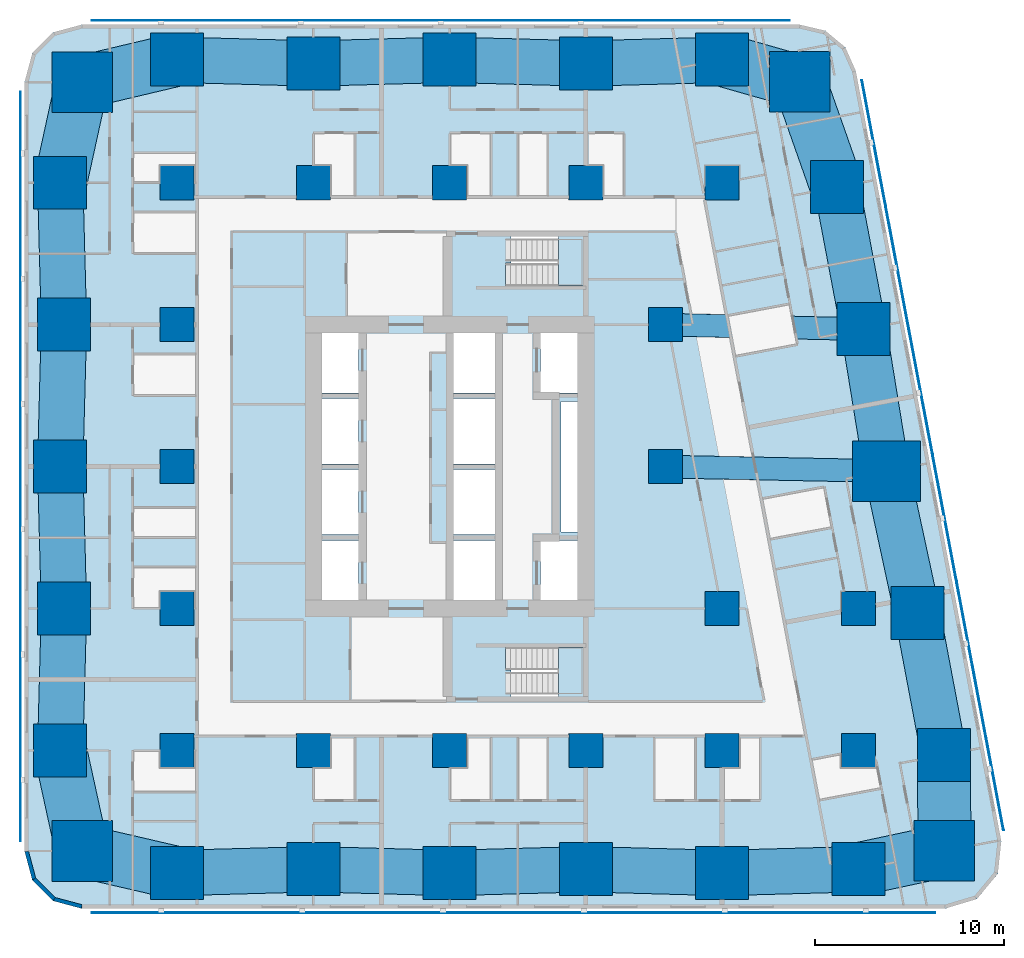
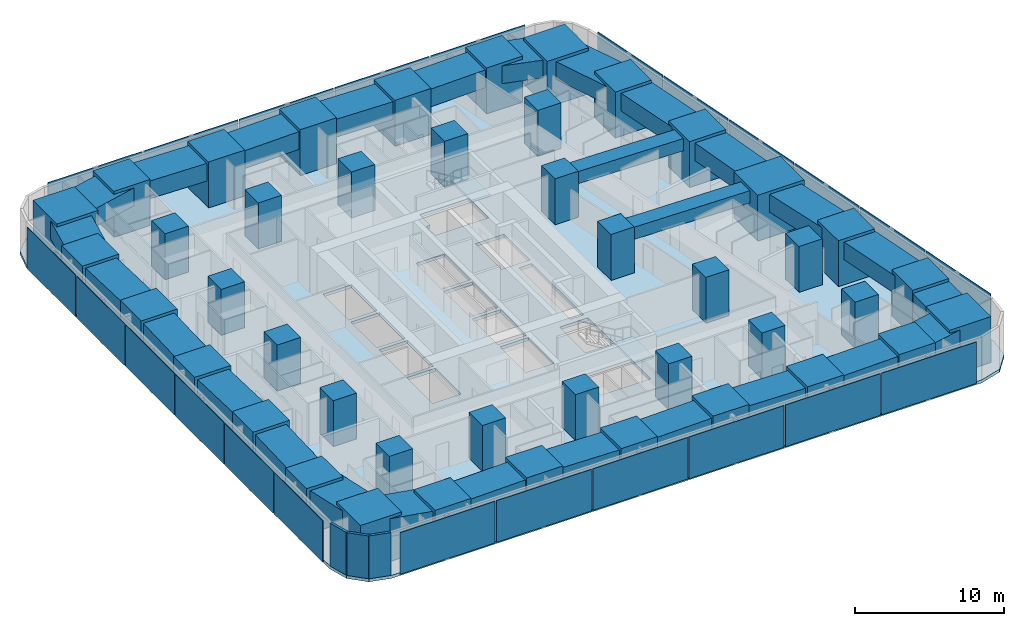
# One storey, part 1 of 16: 43 columns, 27 beams, 23 plates, 3 slabs, 3 walls, 2 elements without a shape of their own.
"""IFC4 building model written with IfcOpenShell, lengths in metres."""

from ifc_helpers import new_model, si_unit, direction, frame, frame_2d, origin, origin_2d, place, context, subcontext, project, spatial, polyline, rectangle, outline, extrude, material, layer, layer_set, material_profile, profile_set, type_object, element, aggregate, save


model = new_model("IFC4")

# Units and contexts
model_context = context("Model", 3, precision=1e-05, world=origin(), true_north=direction((0.0, 1.0)))
body_context = subcontext(model_context, "Body", "Model", "MODEL_VIEW")
ifc_project = project(units=[si_unit("LENGTHUNIT", "METRE"), si_unit("AREAUNIT", "SQUARE_METRE"), si_unit("VOLUMEUNIT", "CUBIC_METRE"), si_unit("PLANEANGLEUNIT", "RADIAN"), si_unit("MASSUNIT", "GRAM", prefix="KILO")], contexts=[model_context])

# Site, building, storey
site_placement = place(None, origin())
site = spatial("IfcSite", under=ifc_project, at=site_placement, CompositionType="ELEMENT")
building_placement = place(site_placement, origin())
building = spatial("IfcBuilding", under=site, at=building_placement, Name="Sheger Commons Tower", CompositionType="ELEMENT")
storey_placement = place(building_placement, frame((0.0, 0.0, 61.25)))
storey = spatial("IfcBuildingStorey", under=building, at=storey_placement, Name="L15", CompositionType="ELEMENT", Elevation=61.25)

# Columns
ifc_material_1 = material(Name="Concrete C50/60", Category="concrete")
ifc_material_profile_1 = material_profile(ifc_material_1, rectangle(XDim=3.60009765625, YDim=3.199951171875, at=origin_2d()), Name="RC 3600x3200")
ifc_profile_set_1 = profile_set([ifc_material_profile_1], Name="Concrete C50/60")
column_type_1 = type_object("IfcColumnType", Name="COLUMN PIER RC 3600x3200", PredefinedType="COLUMN", material=ifc_profile_set_1)
column_placement = place(storey_placement, frame((44.697021484375, 22.262939453125, 0.0), z_axis=(0.0, 0.0, 1.0), x_axis=(1.0, 0.0, 0.0)))
element("IfcColumn", 1, at=column_placement, inside=storey, type_object=column_type_1, Name="Pier 7/D+E/D L15", PredefinedType="COLUMN", context=body_context, shape_type="SweptSolid", body=[
    extrude(rectangle(XDim=3.60009765625, YDim=3.199951171875, at=origin_2d()), origin(), (0.0, 0.0, 1.0), 3.75),
])
ifc_material_2 = material(Name="Concrete C50/60", Category="concrete")
ifc_material_profile_2 = material_profile(ifc_material_2, rectangle(XDim=1.800048828125, YDim=1.800048828125, at=origin_2d()), Name="RC 1800x1800")
ifc_profile_set_2 = profile_set([ifc_material_profile_2], Name="Concrete C50/60")
column_type_2 = type_object("IfcColumnType", Name="COLUMN RC 1800x1800", PredefinedType="COLUMN", material=ifc_profile_set_2)
for number, where, z_axis, x_axis, name in (
    (2, (7.199951171875, 7.5, 0.0), (0.0, 0.0, 1.0), (1.0, 0.0, 0.0), "Column 2/B L15"),
    (3, (14.39990234375, 7.5, 0.0), (0.0, 0.0, 1.0), (1.0, 0.0, 0.0), "Column 3/B L15"),
    (4, (21.60009765625, 7.5, 0.0), (0.0, 0.0, 1.0), (1.0, 0.0, 0.0), "Column 4/B L15"),
    (5, (28.800048828125, 7.5, 0.0), (0.0, 0.0, 1.0), (1.0, 0.0, 0.0), "Column 5/B L15"),
    (6, (36.0, 7.5, 0.0), (0.0, 0.0, 1.0), (1.0, 0.0, 0.0), "Column 6/B L15"),
    (7, (43.199951171875, 7.5, 0.0), (0.0, 0.0, 1.0), (1.0, 0.0, 0.0), "Column 7/B L15"),
    (8, (7.199951171875, 15.0, 0.0), (0.0, 0.0, 1.0), (1.0, 0.0, 0.0), "Column 2/C L15"),
    (9, (36.0, 15.0, 0.0), (0.0, 0.0, 1.0), (1.0, 0.0, 0.0), "Column 6/C L15"),
    (10, (43.199951171875, 15.0, 0.0), (0.0, 0.0, 1.0), (1.0, 0.0, 0.0), "Column 7/C L15"),
    (11, (7.199951171875, 22.5, 0.0), (0.0, 0.0, 1.0), (1.0, 0.0, 0.0), "Column 2/D L15"),
    (12, (33.0, 22.5, 0.0), (0.0, 0.0, 1.0), (1.0, 0.0, 0.0), "Column 6-3000/D L15"),
    (13, (7.199951171875, 30.0, 0.0), (0.0, 0.0, 1.0), (1.0, 0.0, 0.0), "Column 2/E L15"),
    (14, (33.0, 30.0, 0.0), (0.0, 0.0, 1.0), (1.0, 0.0, 0.0), "Column 6-3000/E L15"),
    (15, (7.199951171875, 37.5, 0.0), (0.0, 0.0, 1.0), (1.0, 0.0, 0.0), "Column 2/F L15"),
    (16, (14.39990234375, 37.5, 0.0), (0.0, 0.0, 1.0), (1.0, 0.0, 0.0), "Column 3/F L15"),
    (17, (21.60009765625, 37.5, 0.0), (0.0, 0.0, 1.0), (1.0, 0.0, 0.0), "Column 4/F L15"),
    (18, (28.800048828125, 37.5, 0.0), (0.0, 0.0, 1.0), (1.0, 0.0, 0.0), "Column 5/F L15"),
    (19, (36.0, 37.5, 0.0), (0.0, 0.0, 1.0), (1.0, 0.0, 0.0), "Column 6/F L15"),
):
    element("IfcColumn", number, at=place(storey_placement, frame(where, z_axis=z_axis, x_axis=x_axis)), inside=storey, type_object=column_type_2, Name=name, PredefinedType="COLUMN", context=body_context, shape_type="SweptSolid", body=[
        extrude(rectangle(XDim=1.800048828125, YDim=1.800048828125, at=origin_2d()), origin(), (0.0, 0.0, 1.0), 3.75),
    ])
ifc_material_3 = material(Name="Concrete C50/60", Category="concrete")
ifc_material_profile_3 = material_profile(ifc_material_3, rectangle(XDim=2.800048828125, YDim=2.800048828125, at=origin_2d()), Name="RC 2800x2800")
ifc_profile_set_3 = profile_set([ifc_material_profile_3], Name="Concrete C50/60")
column_type_3 = type_object("IfcColumnType", Name="COLUMN RC 2800x2800", PredefinedType="COLUMN", material=ifc_profile_set_3)
for number, where, z_axis, x_axis, name in (
    (20, (7.199951171875, 1.02490234375, 0.0), (0.0, 0.0, 1.0), (1.0, 0.0, 0.0), "Column 2/A L15"),
    (21, (14.39990234375, 1.22509765625, 0.0), (0.0, 0.0, 1.0), (1.0, 0.0, 0.0), "Column 3/A L15"),
    (22, (21.60009765625, 1.02490234375, 0.0), (0.0, 0.0, 1.0), (1.0, 0.0, 0.0), "Column 4/A L15"),
    (23, (28.800048828125, 1.22509765625, 0.0), (0.0, 0.0, 1.0), (1.0, 0.0, 0.0), "Column 5/A L15"),
    (24, (36.0, 1.02490234375, 0.0), (0.0, 0.0, 1.0), (1.0, 0.0, 0.0), "Column 6/A L15"),
    (25, (43.199951171875, 1.22509765625, 0.0), (0.0, 0.0, 1.0), (1.0, 0.0, 0.0), "Column 7/A L15"),
    (26, (1.02490234375, 7.5, 0.0), (0.0, 0.0, 1.0), (1.0, 0.0, 0.0), "Column 1/B L15"),
    (27, (47.72998046875, 7.262939453125, 0.0), (0.0, 0.0, 1.0), (1.0, 0.0, 0.0), "Column E/B L15"),
    (28, (1.22509765625, 15.0, 0.0), (0.0, 0.0, 1.0), (1.0, 0.0, 0.0), "Column 1/C L15"),
    (29, (46.31396484375, 14.762939453125, 0.0), (0.0, 0.0, 1.0), (1.0, 0.0, 0.0), "Column E/C L15"),
    (30, (1.02490234375, 22.5, 0.0), (0.0, 0.0, 1.0), (1.0, 0.0, 0.0), "Column 1/D L15"),
    (31, (1.22509765625, 30.0, 0.0), (0.0, 0.0, 1.0), (1.0, 0.0, 0.0), "Column 1/E L15"),
    (32, (43.47998046875, 29.762939453125, 0.0), (0.0, 0.0, 1.0), (1.0, 0.0, 0.0), "Column E/E L15"),
    (33, (1.02490234375, 37.5, 0.0), (0.0, 0.0, 1.0), (1.0, 0.0, 0.0), "Column 1/F L15"),
    (34, (42.06396484375, 37.262939453125, 0.0), (0.0, 0.0, 1.0), (1.0, 0.0, 0.0), "Column E/F L15"),
    (35, (7.199951171875, 44.0, 0.0), (0.0, 0.0, 1.0), (1.0, 0.0, 0.0), "Column 2/G L15"),
    (36, (14.39990234375, 43.800048828125, 0.0), (0.0, 0.0, 1.0), (1.0, 0.0, 0.0), "Column 3/G L15"),
    (37, (21.60009765625, 44.0, 0.0), (0.0, 0.0, 1.0), (1.0, 0.0, 0.0), "Column 4/G L15"),
    (38, (28.800048828125, 43.800048828125, 0.0), (0.0, 0.0, 1.0), (1.0, 0.0, 0.0), "Column 5/G L15"),
    (39, (36.0, 44.0, 0.0), (0.0, 0.0, 1.0), (1.0, 0.0, 0.0), "Column 6/G L15"),
):
    element("IfcColumn", number, at=place(storey_placement, frame(where, z_axis=z_axis, x_axis=x_axis)), inside=storey, type_object=column_type_3, Name=name, PredefinedType="COLUMN", context=body_context, shape_type="SweptSolid", body=[
        extrude(rectangle(XDim=2.800048828125, YDim=2.800048828125, at=origin_2d()), origin(), (0.0, 0.0, 1.0), 3.75),
    ])
ifc_material_4 = material(Name="Concrete C50/60", Category="concrete")
ifc_material_profile_4 = material_profile(ifc_material_4, rectangle(XDim=3.199951171875, YDim=3.199951171875, at=origin_2d()), Name="RC 3200x3200")
ifc_profile_set_4 = profile_set([ifc_material_profile_4], Name="Concrete C50/60")
column_type_4 = type_object("IfcColumnType", Name="COLUMN RC 3200x3200", PredefinedType="COLUMN", material=ifc_profile_set_4)
for number, where, z_axis, x_axis, name in (
    (40, (2.18603515625, 2.18603515625, 0.0), (0.0, 0.0, 1.0), (1.0, 0.0, 0.0), "Column 0.630,0.630 L15"),
    (41, (47.748046875, 2.197021484375, 0.0), (0.0, 0.0, 1.0), (1.0, 0.0, 0.0), "Column 49.461,0.778 L15"),
    (42, (2.18603515625, 42.81396484375, 0.0), (0.0, 0.0, 1.0), (1.0, 0.0, 0.0), "Column 0.630,44.370 L15"),
    (43, (40.10205078125, 42.830078125, 0.0), (0.0, 0.0, 1.0), (1.0, 0.0, 0.0), "Column 41.490,44.505 L15"),
):
    element("IfcColumn", number, at=place(storey_placement, frame(where, z_axis=z_axis, x_axis=x_axis)), inside=storey, type_object=column_type_4, Name=name, PredefinedType="COLUMN", context=body_context, shape_type="SweptSolid", body=[
        extrude(rectangle(XDim=3.199951171875, YDim=3.199951171875, at=origin_2d()), origin(), (0.0, 0.0, 1.0), 3.75),
    ])

# Beams
ifc_material_5 = material(Name="Concrete C50/60", Category="concrete")
ifc_material_profile_5 = material_profile(ifc_material_5, rectangle(XDim=1.199951171875, YDim=1.0, at=origin_2d()), Name="RC 1200x1000")
ifc_profile_set_5 = profile_set([ifc_material_profile_5], Name="Concrete C50/60")
beam_type_1 = type_object("IfcBeamType", Name="BEAM RC 1200x1000", PredefinedType="BEAM", material=ifc_profile_set_5)
beam_1_placement = place(storey_placement, frame((33.0, 22.5, 3.0), z_axis=(0.999794692776, -0.02026258368, 0.0), x_axis=(0.02026258368, 0.999794692776, 0.0)))
element("IfcBeam", 44, at=beam_1_placement, inside=storey, type_object=beam_type_1, Name="Beam 6-3000/D-7/D under L16", PredefinedType="BEAM", context=body_context, shape_type="SweptSolid", body=[
    extrude(rectangle(XDim=1.199951171875, YDim=1.0, at=origin_2d()), origin(), (0.0, 0.0, 1.0), 11.699462890625),
])
beam_2_placement = place(storey_placement, frame((33.0, 30.0, 3.0), z_axis=(0.999744258625, -0.022614538395, 0.0), x_axis=(0.022614538395, 0.999744258625, 0.0)))
element("IfcBeam", 45, at=beam_2_placement, inside=storey, type_object=beam_type_1, Name="Beam 6-3000/E-E/E under L16", PredefinedType="BEAM", context=body_context, shape_type="SweptSolid", body=[
    extrude(rectangle(XDim=1.199951171875, YDim=1.0, at=origin_2d()), origin(), (0.0, 0.0, 1.0), 10.482666015625),
])
ifc_material_6 = material(Name="Concrete C50/60", Category="concrete")
ifc_material_profile_6 = material_profile(ifc_material_6, rectangle(XDim=2.39990234375, YDim=1.449951171875, at=origin_2d()), Name="RC 2400x1450")
ifc_profile_set_6 = profile_set([ifc_material_profile_6], Name="Concrete C50/60")
beam_type_2 = type_object("IfcBeamType", Name="SPANDREL RC 2400x1450", PredefinedType="SPANDREL", material=ifc_profile_set_6)
beam_3_placement = place(storey_placement, frame((7.199951171875, 1.02490234375, 2.77490234375), z_axis=(0.9996136624, 0.027794350926, 0.0), x_axis=(-0.027794350926, 0.9996136624, 0.0)))
element("IfcBeam", 46, at=beam_3_placement, inside=storey, type_object=beam_type_2, Name="Beam 2/A-3/A under L16", PredefinedType="SPANDREL", context=body_context, shape_type="SweptSolid", body=[
    extrude(rectangle(XDim=2.39990234375, YDim=1.449951171875, at=origin_2d()), origin(), (0.0, 0.0, 1.0), 7.20263671875),
])
beam_4_placement = place(storey_placement, frame((14.39990234375, 1.22509765625, 2.77490234375), z_axis=(0.999613688584, -0.027793409217, 0.0), x_axis=(0.027793409217, 0.999613688584, 0.0)))
element("IfcBeam", 47, at=beam_4_placement, inside=storey, type_object=beam_type_2, Name="Beam 3/A-4/A under L16", PredefinedType="SPANDREL", context=body_context, shape_type="SweptSolid", body=[
    extrude(rectangle(XDim=2.39990234375, YDim=1.449951171875, at=origin_2d()), origin(), (0.0, 0.0, 1.0), 7.202880859375),
])
for number, where, z_axis, x_axis, name in (
    (48, (21.60009765625, 1.02490234375, 2.77490234375), (0.9996136624, 0.027794350926, 0.0), (-0.027794350926, 0.9996136624, 0.0), "Beam 4/A-5/A under L16"),
    (49, (28.800048828125, 1.22509765625, 2.77490234375), (0.9996136624, -0.027794350926, 0.0), (0.027794350926, 0.9996136624, 0.0), "Beam 5/A-6/A under L16"),
    (50, (36.0, 1.02490234375, 2.77490234375), (0.9996136624, 0.027794350926, 0.0), (-0.027794350926, 0.9996136624, 0.0), "Beam 6/A-7/A under L16"),
):
    element("IfcBeam", number, at=place(storey_placement, frame(where, z_axis=z_axis, x_axis=x_axis)), inside=storey, type_object=beam_type_2, Name=name, PredefinedType="SPANDREL", context=body_context, shape_type="SweptSolid", body=[
        extrude(rectangle(XDim=2.39990234375, YDim=1.449951171875, at=origin_2d()), origin(), (0.0, 0.0, 1.0), 7.20263671875),
    ])
beam_5_placement = place(storey_placement, frame((47.72998046875, 7.262939453125, 2.77490234375), z_axis=(-0.18552441405, 0.982639655108, 0.0), x_axis=(-0.982639655108, -0.18552441405, 0.0)))
element("IfcBeam", 51, at=beam_5_placement, inside=storey, type_object=beam_type_2, Name="Beam E/B-E/C under L16", PredefinedType="SPANDREL", context=body_context, shape_type="SweptSolid", body=[
    extrude(rectangle(XDim=2.39990234375, YDim=1.449951171875, at=origin_2d()), origin(), (0.0, 0.0, 1.0), 7.632568359375),
])
beam_6_placement = place(storey_placement, frame((46.31396484375, 14.762939453125, 2.77490234375), z_axis=(-0.210750229323, 0.977539943348, 0.0), x_axis=(-0.977539943348, -0.210750229323, 0.0)))
element("IfcBeam", 52, at=beam_6_placement, inside=storey, type_object=beam_type_2, Name="Beam E/C-E/D under L16", PredefinedType="SPANDREL", context=body_context, shape_type="SweptSolid", body=[
    extrude(rectangle(XDim=2.39990234375, YDim=1.449951171875, at=origin_2d()), origin(), (0.0, 0.0, 1.0), 7.67236328125),
])
beam_7_placement = place(storey_placement, frame((44.697021484375, 22.262939453125, 2.77490234375), z_axis=(-0.160176929512, 0.987088319884, 0.0), x_axis=(-0.987088319884, -0.160176929512, 0.0)))
element("IfcBeam", 53, at=beam_7_placement, inside=storey, type_object=beam_type_2, Name="Beam E/D-E/E under L16", PredefinedType="SPANDREL", context=body_context, shape_type="SweptSolid", body=[
    extrude(rectangle(XDim=2.39990234375, YDim=1.449951171875, at=origin_2d()), origin(), (0.0, 0.0, 1.0), 7.59814453125),
])
beam_8_placement = place(storey_placement, frame((43.47998046875, 29.762939453125, 2.77490234375), z_axis=(-0.18552441405, 0.982639655108, 0.0), x_axis=(-0.982639655108, -0.18552441405, 0.0)))
element("IfcBeam", 54, at=beam_8_placement, inside=storey, type_object=beam_type_2, Name="Beam E/E-E/F under L16", PredefinedType="SPANDREL", context=body_context, shape_type="SweptSolid", body=[
    extrude(rectangle(XDim=2.39990234375, YDim=1.449951171875, at=origin_2d()), origin(), (0.0, 0.0, 1.0), 7.632568359375),
])
for number, where, z_axis, x_axis, name in (
    (55, (36.0, 44.0, 2.77490234375), (-0.999614603568, -0.027760481514, 0.0), (0.027760481514, -0.999614603568, 0.0), "Beam 6/G-5/G under L16"),
    (56, (28.800048828125, 43.800048828125, 2.77490234375), (-0.999614603568, 0.027760481514, 0.0), (-0.027760481514, -0.999614603568, 0.0), "Beam 5/G-4/G under L16"),
):
    element("IfcBeam", number, at=place(storey_placement, frame(where, z_axis=z_axis, x_axis=x_axis)), inside=storey, type_object=beam_type_2, Name=name, PredefinedType="SPANDREL", context=body_context, shape_type="SweptSolid", body=[
        extrude(rectangle(XDim=2.39990234375, YDim=1.449951171875, at=origin_2d()), origin(), (0.0, 0.0, 1.0), 7.20263671875),
    ])
beam_9_placement = place(storey_placement, frame((21.60009765625, 44.0, 2.77490234375), z_axis=(-0.999614629688, -0.027759540951, 0.0), x_axis=(0.027759540951, -0.999614629688, 0.0)))
element("IfcBeam", 57, at=beam_9_placement, inside=storey, type_object=beam_type_2, Name="Beam 4/G-3/G under L16", PredefinedType="SPANDREL", context=body_context, shape_type="SweptSolid", body=[
    extrude(rectangle(XDim=2.39990234375, YDim=1.449951171875, at=origin_2d()), origin(), (0.0, 0.0, 1.0), 7.202880859375),
])
beam_10_placement = place(storey_placement, frame((14.39990234375, 43.800048828125, 2.77490234375), z_axis=(-0.999614603568, 0.027760481514, 0.0), x_axis=(-0.027760481514, -0.999614603568, 0.0)))
element("IfcBeam", 58, at=beam_10_placement, inside=storey, type_object=beam_type_2, Name="Beam 3/G-2/G under L16", PredefinedType="SPANDREL", context=body_context, shape_type="SweptSolid", body=[
    extrude(rectangle(XDim=2.39990234375, YDim=1.449951171875, at=origin_2d()), origin(), (0.0, 0.0, 1.0), 7.20263671875),
])
for number, where, z_axis, x_axis, name in (
    (59, (1.02490234375, 37.5, 2.77490234375), (0.026683204125, -0.999643939919, 0.0), (0.999643939919, 0.026683204125, 0.0), "Beam 1/F-1/E under L16"),
    (60, (1.22509765625, 30.0, 2.77490234375), (-0.026683204125, -0.999643939919, 0.0), (0.999643939919, -0.026683204125, 0.0), "Beam 1/E-1/D under L16"),
    (61, (1.02490234375, 22.5, 2.77490234375), (0.026683204125, -0.999643939919, 0.0), (0.999643939919, 0.026683204125, 0.0), "Beam 1/D-1/C under L16"),
    (62, (1.22509765625, 15.0, 2.77490234375), (-0.026683204125, -0.999643939919, 0.0), (0.999643939919, -0.026683204125, 0.0), "Beam 1/C-1/B under L16"),
):
    element("IfcBeam", number, at=place(storey_placement, frame(where, z_axis=z_axis, x_axis=x_axis)), inside=storey, type_object=beam_type_2, Name=name, PredefinedType="SPANDREL", context=body_context, shape_type="SweptSolid", body=[
        extrude(rectangle(XDim=2.39990234375, YDim=1.449951171875, at=origin_2d()), origin(), (0.0, 0.0, 1.0), 7.502685546875),
    ])
ifc_material_7 = material(Name="Concrete C50/60", Category="concrete")
ifc_material_profile_7 = material_profile(ifc_material_7, rectangle(XDim=2.800048828125, YDim=1.449951171875, at=origin_2d()), Name="RC 2800x1450")
ifc_profile_set_7 = profile_set([ifc_material_profile_7], Name="Concrete C50/60")
beam_type_3 = type_object("IfcBeamType", Name="SPANDREL RC 2800x1450", PredefinedType="SPANDREL", material=ifc_profile_set_7)
beam_11_placement = place(storey_placement, frame((2.18603515625, 2.18603515625, 2.77490234375), z_axis=(0.974217413499, -0.225611239159, 0.0), x_axis=(0.225611239159, 0.974217413499, 0.0)))
element("IfcBeam", 63, at=beam_11_placement, inside=storey, type_object=beam_type_3, Name="Beam 0.630,0.630-2/A under L16", PredefinedType="SPANDREL", context=body_context, shape_type="SweptSolid", body=[
    extrude(rectangle(XDim=2.800048828125, YDim=1.449951171875, at=origin_2d()), origin(), (0.0, 0.0, 1.0), 5.146728515625),
])
beam_12_placement = place(storey_placement, frame((43.199951171875, 1.22509765625, 2.77490234375), z_axis=(0.977919796671, 0.208980552394, 0.0), x_axis=(-0.208980552394, 0.977919796671, 0.0)))
element("IfcBeam", 64, at=beam_12_placement, inside=storey, type_object=beam_type_3, Name="Beam 7/A-49.461,0.778 under L16", PredefinedType="SPANDREL", context=body_context, shape_type="SweptSolid", body=[
    extrude(rectangle(XDim=2.800048828125, YDim=1.449951171875, at=origin_2d()), origin(), (0.0, 0.0, 1.0), 4.65087890625),
])
beam_13_placement = place(storey_placement, frame((47.748046875, 2.197021484375, 2.77490234375), z_axis=(-0.003566242382, 0.999993640937, 0.0), x_axis=(-0.999993640937, -0.003566242382, 0.0)))
element("IfcBeam", 65, at=beam_13_placement, inside=storey, type_object=beam_type_3, Name="Beam 49.461,0.778-E/B under L16", PredefinedType="SPANDREL", context=body_context, shape_type="SweptSolid", body=[
    extrude(rectangle(XDim=2.800048828125, YDim=1.449951171875, at=origin_2d()), origin(), (0.0, 0.0, 1.0), 5.06591796875),
])
beam_14_placement = place(storey_placement, frame((42.06396484375, 37.262939453125, 2.77490234375), z_axis=(-0.332374403357, 0.943147526102, 0.0), x_axis=(-0.943147526102, -0.332374403357, 0.0)))
element("IfcBeam", 66, at=beam_14_placement, inside=storey, type_object=beam_type_3, Name="Beam E/F-41.490,44.505 under L16", PredefinedType="SPANDREL", context=body_context, shape_type="SweptSolid", body=[
    extrude(rectangle(XDim=2.800048828125, YDim=1.449951171875, at=origin_2d()), origin(), (0.0, 0.0, 1.0), 5.90283203125),
])
beam_15_placement = place(storey_placement, frame((40.10205078125, 42.830078125, 2.77490234375), z_axis=(-0.961653428129, 0.274267541221, 0.0), x_axis=(-0.274267541221, -0.961653428129, 0.0)))
element("IfcBeam", 67, at=beam_15_placement, inside=storey, type_object=beam_type_3, Name="Beam 41.490,44.505-6/G under L16", PredefinedType="SPANDREL", context=body_context, shape_type="SweptSolid", body=[
    extrude(rectangle(XDim=2.800048828125, YDim=1.449951171875, at=origin_2d()), origin(), (0.0, 0.0, 1.0), 4.265625),
])
beam_16_placement = place(storey_placement, frame((7.199951171875, 44.0, 2.77490234375), z_axis=(-0.97314428949, -0.230195985701, 0.0), x_axis=(0.230195985701, -0.97314428949, 0.0)))
element("IfcBeam", 68, at=beam_16_placement, inside=storey, type_object=beam_type_3, Name="Beam 2/G-0.630,44.370 under L16", PredefinedType="SPANDREL", context=body_context, shape_type="SweptSolid", body=[
    extrude(rectangle(XDim=2.800048828125, YDim=1.449951171875, at=origin_2d()), origin(), (0.0, 0.0, 1.0), 5.15234375),
])
for number, where, z_axis, x_axis, name in (
    (69, (2.18603515625, 42.81396484375, 2.77490234375), (-0.213469314652, -0.976949769283, 0.0), (0.976949769283, -0.213469314652, 0.0), "Beam 0.630,44.370-1/F under L16"),
    (70, (1.02490234375, 7.5, 2.77490234375), (0.213469314652, -0.976949769283, 0.0), (0.976949769283, 0.213469314652, 0.0), "Beam 1/B-0.630,0.630 under L16"),
):
    element("IfcBeam", number, at=place(storey_placement, frame(where, z_axis=z_axis, x_axis=x_axis)), inside=storey, type_object=beam_type_3, Name=name, PredefinedType="SPANDREL", context=body_context, shape_type="SweptSolid", body=[
        extrude(rectangle(XDim=2.800048828125, YDim=1.449951171875, at=origin_2d()), origin(), (0.0, 0.0, 1.0), 5.439453125),
    ])

# Slab
ifc_material_8 = material(Name="Concrete C35/45", Category="concrete")
ifc_layer_1 = layer(ifc_material_8, 0.25)
ifc_layer_set_1 = layer_set([ifc_layer_1], Name="SLAB FLOOR 250")
slab_type_1 = type_object("IfcSlabType", Name="SLAB FLOOR 250", PredefinedType="FLOOR", material=ifc_layer_set_1)
slab_1_placement = place(storey_placement, frame((0.0, 0.0, -0.25)))
element("IfcSlab", 71, at=slab_1_placement, inside=storey, type_object=slab_type_1, Name="L15 floor slab", PredefinedType="FLOOR", context=body_context, shape_type="SweptSolid", body=[
    extrude(outline(polyline([(-0.85009765625, 2.14990234375), (-0.447998046875, 0.64990234375), (0.64990234375, -0.447998046875), (2.14990234375, -0.85009765625), (47.805908203125, -0.85009765625), (49.465087890625, -0.35009765625), (50.570068359375, 0.98388671875), (50.75390625, 2.70703125), (43.06591796875, 43.406982421875), (42.509033203125, 44.660888671875), (41.452880859375, 45.535888671875), (40.117919921875, 45.85009765625), (2.14990234375, 45.85009765625), (0.64990234375, 45.447998046875), (-0.447998046875, 44.35009765625), (-0.85009765625, 42.85009765625), (-0.85009765625, 2.14990234375)]), holes=[polyline([(24.85009765625, 10.35009765625), (28.64990234375, 10.35009765625), (28.64990234375, 12.949951171875), (24.551025390625, 12.949951171875), (24.551025390625, 11.75), (24.85009765625, 11.75), (24.85009765625, 10.35009765625)]), polyline([(24.551025390625, 32.050048828125), (28.64990234375, 32.050048828125), (28.64990234375, 34.64990234375), (24.85009765625, 34.64990234375), (24.85009765625, 33.25), (24.551025390625, 33.25), (24.551025390625, 32.050048828125)]), polyline([(26.39990234375, 15.14990234375), (28.60009765625, 15.14990234375), (28.60009765625, 18.60009765625), (26.39990234375, 18.60009765625), (26.39990234375, 15.14990234375)]), polyline([(26.39990234375, 26.39990234375), (28.60009765625, 26.39990234375), (28.60009765625, 29.85009765625), (26.39990234375, 29.85009765625), (26.39990234375, 26.39990234375)]), polyline([(14.60009765625, 15.14990234375), (16.800048828125, 15.14990234375), (16.800048828125, 18.60009765625), (14.60009765625, 18.60009765625), (14.60009765625, 15.14990234375)]), polyline([(14.60009765625, 18.89990234375), (16.800048828125, 18.89990234375), (16.800048828125, 22.35009765625), (14.60009765625, 22.35009765625), (14.60009765625, 18.89990234375)]), polyline([(14.60009765625, 22.64990234375), (16.800048828125, 22.64990234375), (16.800048828125, 26.10009765625), (14.60009765625, 26.10009765625), (14.60009765625, 22.64990234375)]), polyline([(14.60009765625, 26.39990234375), (16.800048828125, 26.39990234375), (16.800048828125, 29.85009765625), (14.60009765625, 29.85009765625), (14.60009765625, 26.39990234375)]), polyline([(21.800048828125, 15.14990234375), (24.0, 15.14990234375), (24.0, 18.60009765625), (21.800048828125, 18.60009765625), (21.800048828125, 15.14990234375)]), polyline([(21.800048828125, 18.89990234375), (24.0, 18.89990234375), (24.0, 22.35009765625), (21.800048828125, 22.35009765625), (21.800048828125, 18.89990234375)]), polyline([(21.800048828125, 22.64990234375), (24.0, 22.64990234375), (24.0, 26.10009765625), (21.800048828125, 26.10009765625), (21.800048828125, 22.64990234375)]), polyline([(21.800048828125, 26.39990234375), (24.0, 26.39990234375), (24.0, 29.85009765625), (21.800048828125, 29.85009765625), (21.800048828125, 26.39990234375)]), polyline([(27.5, 19.050048828125), (28.5, 19.050048828125), (28.5, 25.949951171875), (27.5, 25.949951171875), (27.5, 19.050048828125)])]), origin(), (0.0, 0.0, 1.0), 0.25),
])

# Plates
ifc_material_9 = material(Name="Perforated black anodised aluminium screen", Category="aluminium")
ifc_layer_2 = layer(ifc_material_9, 0.050048828125)
ifc_layer_set_2 = layer_set([ifc_layer_2], Name="SOLAR SCREEN SCREEN-1")
plate_type = type_object("IfcPlateType", Name="SOLAR SCREEN SCREEN-1", PredefinedType="USERDEFINED", material=ifc_layer_set_2)
for number, where, z_axis, x_axis, name in (
    (72, (6.37109375, -1.074951171875, 0.050048828125), (0.0, 0.0, 1.0), (1.0, 0.0, 0.0), "Perforated solar screen panel"),
    (73, (13.81396484375, -1.074951171875, 0.050048828125), (0.0, 0.0, 1.0), (1.0, 0.0, 0.0), "Perforated solar screen panel"),
    (74, (21.257080078125, -1.074951171875, 0.050048828125), (0.0, 0.0, 1.0), (1.0, 0.0, 0.0), "Perforated solar screen panel"),
    (75, (28.698974609375, -1.074951171875, 0.050048828125), (0.0, 0.0, 1.0), (1.0, 0.0, 0.0), "Perforated solar screen panel"),
    (76, (36.14208984375, -1.074951171875, 0.050048828125), (0.0, 0.0, 1.0), (1.0, 0.0, 0.0), "Perforated solar screen panel"),
    (77, (43.5849609375, -1.074951171875, 0.050048828125), (0.0, 0.0, 1.0), (1.0, 0.0, 0.0), "Perforated solar screen panel"),
):
    element("IfcPlate", number, at=place(storey_placement, frame(where, z_axis=z_axis, x_axis=x_axis)), inside=storey, type_object=plate_type, Name=name, ObjectType="SCREEN", PredefinedType="USERDEFINED", context=body_context, shape_type="SweptSolid", body=[
        extrude(rectangle(XDim=7.343017578125, YDim=0.050048828125, at=origin_2d()), origin(), (0.0, 0.0, 1.0), 3.39990234375),
    ])
for number, where, z_axis, x_axis, name in (
    (78, (50.257080078125, 6.550048828125, 0.050048828125), (0.0, 0.0, 1.0), (-0.185615165645, 0.982622516678, 0.0), "Perforated solar screen panel"),
    (79, (49.007080078125, 13.1689453125, 0.050048828125), (0.0, 0.0, 1.0), (-0.185615165645, 0.982622516678, 0.0), "Perforated solar screen panel"),
    (80, (47.756103515625, 19.7890625, 0.050048828125), (0.0, 0.0, 1.0), (-0.185615165645, 0.982622516678, 0.0), "Perforated solar screen panel"),
    (81, (46.506103515625, 26.408935546875, 0.050048828125), (0.0, 0.0, 1.0), (-0.185615165645, 0.982622516678, 0.0), "Perforated solar screen panel"),
    (82, (45.2548828125, 33.028076171875, 0.050048828125), (0.0, 0.0, 1.0), (-0.185615165645, 0.982622516678, 0.0), "Perforated solar screen panel"),
    (83, (44.0048828125, 39.64794921875, 0.050048828125), (0.0, 0.0, 1.0), (-0.185615165645, 0.982622516678, 0.0), "Perforated solar screen panel"),
):
    element("IfcPlate", number, at=place(storey_placement, frame(where, z_axis=z_axis, x_axis=x_axis)), inside=storey, type_object=plate_type, Name=name, ObjectType="SCREEN", PredefinedType="USERDEFINED", context=body_context, shape_type="SweptSolid", body=[
        extrude(rectangle(XDim=6.636962890625, YDim=0.050048828125, at=origin_2d()), origin(), (0.0, 0.0, 1.0), 3.39990234375),
    ])
for number, where, z_axis, x_axis, name in (
    (84, (35.9208984375, 46.074951171875, 0.050048828125), (0.0, 0.0, 1.0), (-1.0, 0.0, 0.0), "Perforated solar screen panel"),
    (85, (28.528076171875, 46.074951171875, 0.050048828125), (0.0, 0.0, 1.0), (-1.0, 0.0, 0.0), "Perforated solar screen panel"),
    (86, (21.134033203125, 46.074951171875, 0.050048828125), (0.0, 0.0, 1.0), (-1.0, 0.0, 0.0), "Perforated solar screen panel"),
    (87, (13.739990234375, 46.074951171875, 0.050048828125), (0.0, 0.0, 1.0), (-1.0, 0.0, 0.0), "Perforated solar screen panel"),
    (88, (6.346923828125, 46.074951171875, 0.050048828125), (0.0, 0.0, 1.0), (-1.0, 0.0, 0.0), "Perforated solar screen panel"),
):
    element("IfcPlate", number, at=place(storey_placement, frame(where, z_axis=z_axis, x_axis=x_axis)), inside=storey, type_object=plate_type, Name=name, ObjectType="SCREEN", PredefinedType="USERDEFINED", context=body_context, shape_type="SweptSolid", body=[
        extrude(rectangle(XDim=7.2939453125, YDim=0.050048828125, at=origin_2d()), origin(), (0.0, 0.0, 1.0), 3.39990234375),
    ])
for number, where, z_axis, x_axis, name in (
    (89, (-1.074951171875, 39.0419921875, 0.050048828125), (0.0, 0.0, 1.0), (0.0, -1.0, 0.0), "Perforated solar screen panel"),
    (90, (-1.074951171875, 32.425048828125, 0.050048828125), (0.0, 0.0, 1.0), (0.0, -1.0, 0.0), "Perforated solar screen panel"),
    (91, (-1.074951171875, 25.80810546875, 0.050048828125), (0.0, 0.0, 1.0), (0.0, -1.0, 0.0), "Perforated solar screen panel"),
    (92, (-1.074951171875, 19.19189453125, 0.050048828125), (0.0, 0.0, 1.0), (0.0, -1.0, 0.0), "Perforated solar screen panel"),
    (93, (-1.074951171875, 12.574951171875, 0.050048828125), (0.0, 0.0, 1.0), (0.0, -1.0, 0.0), "Perforated solar screen panel"),
    (94, (-1.074951171875, 5.9580078125, 0.050048828125), (0.0, 0.0, 1.0), (0.0, -1.0, 0.0), "Perforated solar screen panel"),
):
    element("IfcPlate", number, at=place(storey_placement, frame(where, z_axis=z_axis, x_axis=x_axis)), inside=storey, type_object=plate_type, Name=name, ObjectType="SCREEN", PredefinedType="USERDEFINED", context=body_context, shape_type="SweptSolid", body=[
        extrude(rectangle(XDim=6.51708984375, YDim=0.050048828125, at=origin_2d()), origin(), (0.0, 0.0, 1.0), 3.39990234375),
    ])

# Stair, slab
ifc_material_10 = material(Name="Concrete C35/45", Category="concrete")
stair_type = type_object("IfcStairType", Name="HALF-TURN STAIR 1200 RISE 3750", PredefinedType="HALF_TURN_STAIR", material=ifc_material_10)
stair_1_placement = place(storey_placement, origin())
stair_1 = element("IfcStair", 95, at=stair_1_placement, inside=storey, type_object=stair_type, Name="Stair S1 L15", PredefinedType="HALF_TURN_STAIR")
ifc_material_11 = material(Name="Concrete C35/45", Category="concrete")
ifc_layer_3 = layer(ifc_material_11, 0.199951171875)
ifc_layer_set_3 = layer_set([ifc_layer_3], Name="STAIR LANDING 200")
slab_type_2 = type_object("IfcSlabType", Name="STAIR LANDING 200", PredefinedType="LANDING", material=ifc_layer_set_3)
slab_2_placement = place(storey_placement, frame((0.0, 0.0, 1.675048828125)))
slab_2 = element("IfcSlab", 96, at=slab_2_placement, type_object=slab_type_2, Name="S1 landing 1", PredefinedType="LANDING", context=body_context, shape_type="SweptSolid", body=[
    extrude(outline(polyline([(27.35009765625, 10.199951171875), (28.800048828125, 10.199951171875), (28.800048828125, 12.949951171875), (27.35009765625, 12.949951171875), (27.35009765625, 10.199951171875)])), origin(), (0.0, 0.0, 1.0), 0.199951171875),
])
aggregate(stair_1, [slab_2])

stair_2_placement = place(storey_placement, origin())
stair_2 = element("IfcStair", 97, at=stair_2_placement, inside=storey, type_object=stair_type, Name="Stair S2 L15", PredefinedType="HALF_TURN_STAIR")
slab_3_placement = place(storey_placement, frame((0.0, 0.0, 1.675048828125)))
slab_3 = element("IfcSlab", 98, at=slab_3_placement, type_object=slab_type_2, Name="S2 landing 1", PredefinedType="LANDING", context=body_context, shape_type="SweptSolid", body=[
    extrude(outline(polyline([(27.35009765625, 32.050048828125), (28.800048828125, 32.050048828125), (28.800048828125, 34.800048828125), (27.35009765625, 34.800048828125), (27.35009765625, 32.050048828125)])), origin(), (0.0, 0.0, 1.0), 0.199951171875),
])
aggregate(stair_2, [slab_3])

# Walls
ifc_material_12 = material(Name="Rendered concrete block masonry, dark grey", Category="masonry")
ifc_layer_4 = layer(ifc_material_12, 0.199951171875)
ifc_layer_set_4 = layer_set([ifc_layer_4], Name="FACADE WALL 200")
wall_type = type_object("IfcWallType", Name="FACADE WALL 200", PredefinedType="SOLIDWALL", material=ifc_layer_set_4)
wall_1_placement = place(storey_placement, frame((-0.75, 2.1630859375, 0.0), z_axis=(0.0, 0.0, 1.0), x_axis=(0.259168954497, -0.965832000415, 0.0)))
element("IfcWall", 99, at=wall_1_placement, inside=storey, type_object=wall_type, Name="Facade wall L15", PredefinedType="SOLIDWALL", context=body_context, shape_type="SweptSolid", body=[
    extrude(rectangle(XDim=1.512939453125, YDim=0.199951171875, at=frame_2d((0.75634765625, 0.0))), origin(), (0.0, 0.0, 1.0), 3.5),
])
wall_2_placement = place(storey_placement, frame((-0.35791015625, 0.701904296875, 0.0), z_axis=(0.0, 0.0, 1.0), x_axis=(0.707106781187, -0.707106781187, 0.0)))
element("IfcWall", 100, at=wall_2_placement, inside=storey, type_object=wall_type, Name="Facade wall L15", PredefinedType="SOLIDWALL", context=body_context, shape_type="SweptSolid", body=[
    extrude(rectangle(XDim=1.498779296875, YDim=0.199951171875, at=frame_2d((0.74951171875, 0.0))), origin(), (0.0, 0.0, 1.0), 3.5),
])
wall_3_placement = place(storey_placement, frame((0.701904296875, -0.35791015625, 0.0), z_axis=(0.0, 0.0, 1.0), x_axis=(0.965832000415, -0.259168954497, 0.0)))
element("IfcWall", 101, at=wall_3_placement, inside=storey, type_object=wall_type, Name="Facade wall L15", PredefinedType="SOLIDWALL", context=body_context, shape_type="SweptSolid", body=[
    extrude(rectangle(XDim=1.512939453125, YDim=0.199951171875, at=frame_2d((0.75634765625, 0.0))), origin(), (0.0, 0.0, 1.0), 3.5),
])

save(model, "model.ifc")
